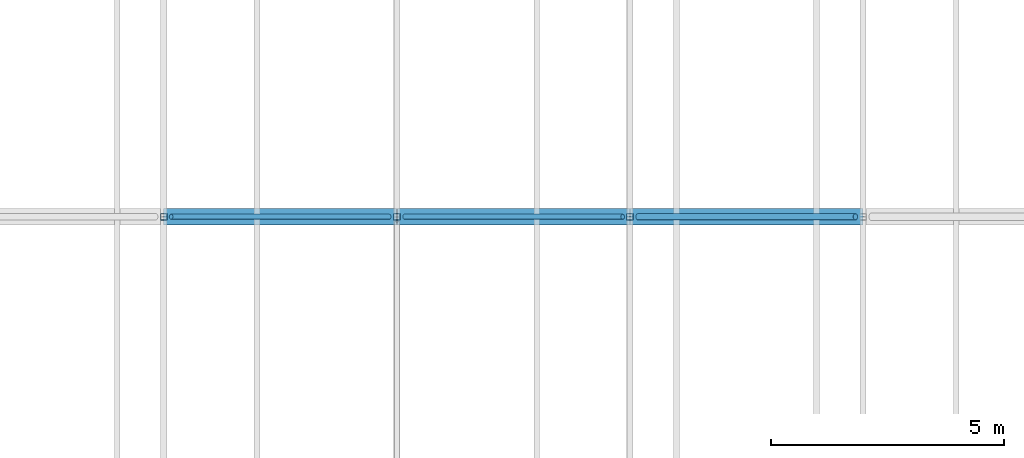
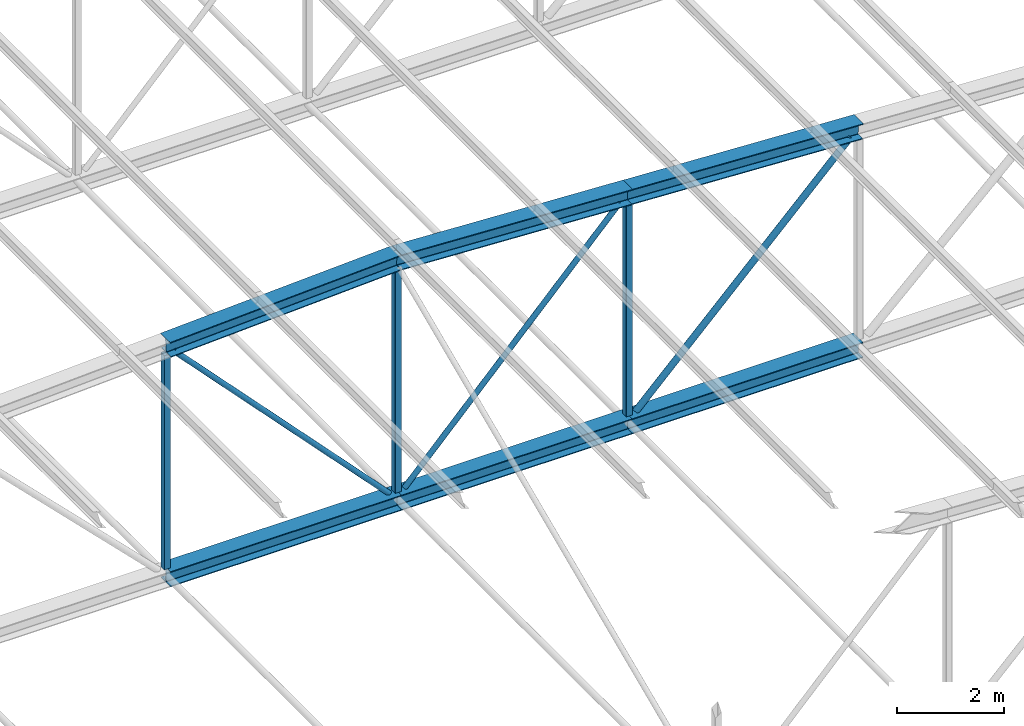
# One storey, part 61 of 156: 12 members.
"""IFC4 building model written with IfcOpenShell, lengths in metres."""

from ifc_helpers import new_model, si_unit, direction, frame, origin, origin_2d, place, context, subcontext, project, spatial, hollow_rectangle, hollow_circle, i_section, extrude, material, material_profile, profile_set, type_object, element, save


model = new_model("IFC4")

# Units and contexts
model_context = context("Model", 3, precision=1e-05, world=origin(), true_north=direction((0.0, 1.0)))
body_context = subcontext(model_context, "Body", "Model", "MODEL_VIEW")
ifc_project = project(units=[si_unit("LENGTHUNIT", "METRE"), si_unit("AREAUNIT", "SQUARE_METRE"), si_unit("VOLUMEUNIT", "CUBIC_METRE"), si_unit("PLANEANGLEUNIT", "RADIAN"), si_unit("MASSUNIT", "GRAM", prefix="KILO")], contexts=[model_context])

# Site, building, storey
site_placement = place(None, origin())
site = spatial("IfcSite", under=ifc_project, at=site_placement, CompositionType="ELEMENT")
building_placement = place(site_placement, origin())
building = spatial("IfcBuilding", under=site, at=building_placement, Name="Lilac Gate Convention Centre", CompositionType="ELEMENT")
storey_placement = place(building_placement, frame((0.0, 0.0, 17.0)))
storey = spatial("IfcBuildingStorey", under=building, at=storey_placement, Name="L03", CompositionType="ELEMENT", Elevation=17.0)

# Members
ifc_material = material(Name="Steel Q355B", Category="steel")
ifc_material_profile_1 = material_profile(ifc_material, i_section(OverallWidth=0.35693359375, OverallDepth=0.35009765625, WebThickness=0.01904296875, FlangeThickness=0.01904296875, FilletRadius=0.012939453125, at=origin_2d()), Name="HW350x357x19x19")
ifc_profile_set_1 = profile_set([ifc_material_profile_1], Name="Steel Q355B")
member_type_1 = type_object("IfcMemberType", Name="Truss bottom chord HW350x357x19x19", PredefinedType="CHORD", material=ifc_profile_set_1)
for number, where, z_axis, x_axis, name in (
    (1, (55.0, 114.0, 0.0), (1.0, 0.0, 0.0), (0.0, 1.0, 0.0), "TB3 truss 8 bottom chord 6"),
    (2, (60.0, 114.0, 0.0), (1.0, 0.0, 0.0), (0.0, 1.0, 0.0), "TB3 truss 8 bottom chord 7"),
    (3, (65.0, 114.0, 0.0), (1.0, 0.0, 0.0), (0.0, 1.0, 0.0), "TB3 truss 8 bottom chord 8"),
):
    element("IfcMember", number, at=place(storey_placement, frame(where, z_axis=z_axis, x_axis=x_axis)), inside=storey, type_object=member_type_1, Name=name, PredefinedType="CHORD", context=body_context, shape_type="SweptSolid", body=[
        extrude(i_section(OverallWidth=0.35693359375, OverallDepth=0.35009765625, WebThickness=0.01904296875, FlangeThickness=0.01904296875, FilletRadius=0.012939453125, at=origin_2d()), origin(), (0.0, 0.0, 1.0), 5.0),
    ])
ifc_material_profile_2 = material_profile(ifc_material, hollow_circle(Radius=0.05712890625, WallThickness=0.0048828125, at=origin_2d()), Name="CHS114.3x5")
ifc_profile_set_2 = profile_set([ifc_material_profile_2], Name="Steel Q355B")
member_type_2 = type_object("IfcMemberType", Name="Truss diagonal CHS114.3x5", PredefinedType="BRACE", material=ifc_profile_set_2)
for number, where, z_axis, x_axis, name in (
    (4, (55.156494140625, 114.0, 5.085693359375), (0.6896515765, 0.0, -0.724141355697), (0.0, 1.0, 0.0), "TW6 truss 8 diagonal 6"),
    (5, (64.843505859375, 114.0, 5.085693359375), (-0.6896515765, 0.0, -0.724141355697), (0.0, -1.0, 0.0), "TW6 truss 8 diagonal 7"),
):
    element("IfcMember", number, at=place(storey_placement, frame(where, z_axis=z_axis, x_axis=x_axis)), inside=storey, type_object=member_type_2, Name=name, PredefinedType="BRACE", context=body_context, shape_type="SweptSolid", body=[
        extrude(hollow_circle(Radius=0.05712890625, WallThickness=0.0048828125, at=origin_2d()), origin(), (0.0, 0.0, 1.0), 6.78125),
    ])
ifc_material_profile_3 = material_profile(ifc_material, hollow_circle(Radius=0.06982421875, WallThickness=0.006103515625, at=origin_2d()), Name="CHS139.7x6")
ifc_profile_set_3 = profile_set([ifc_material_profile_3], Name="Steel Q355B")
member_type_3 = type_object("IfcMemberType", Name="Truss diagonal CHS139.7x6", PredefinedType="BRACE", material=ifc_profile_set_3)
member_1_placement = place(storey_placement, frame((69.835693359375, 114.0, 4.835693359375), z_axis=(-0.707106781187, 0.0, -0.707106781187), x_axis=(0.0, -1.0, 0.0)))
element("IfcMember", 6, at=member_1_placement, inside=storey, type_object=member_type_3, Name="TW5 truss 8 diagonal 8", PredefinedType="BRACE", context=body_context, shape_type="SweptSolid", body=[
    extrude(hollow_circle(Radius=0.06982421875, WallThickness=0.006103515625, at=origin_2d()), origin(), (0.0, 0.0, 1.0), 6.591064453125),
])
ifc_material_profile_4 = material_profile(ifc_material, i_section(OverallWidth=0.35009765625, OverallDepth=0.35009765625, WebThickness=0.011962890625, FlangeThickness=0.01904296875, FilletRadius=0.012939453125, at=origin_2d()), Name="HW350x350x12x19")
ifc_profile_set_4 = profile_set([ifc_material_profile_4], Name="Steel Q355B")
member_type_4 = type_object("IfcMemberType", Name="Truss top chord HW350x350x12x19", PredefinedType="CHORD", material=ifc_profile_set_4)
member_2_placement = place(storey_placement, frame((65.0, 114.0, 5.25), z_axis=(0.998752338878, 0.0, -0.049937616944), x_axis=(0.0, 1.0, 0.0)))
element("IfcMember", 7, at=member_2_placement, inside=storey, type_object=member_type_4, Name="TT2 truss 8 top chord 8", PredefinedType="CHORD", context=body_context, shape_type="SweptSolid", body=[
    extrude(i_section(OverallWidth=0.35009765625, OverallDepth=0.35009765625, WebThickness=0.011962890625, FlangeThickness=0.01904296875, FilletRadius=0.012939453125, at=origin_2d()), origin(), (0.0, 0.0, 1.0), 5.00634765625),
])
ifc_material_profile_5 = material_profile(ifc_material, i_section(OverallWidth=0.35693359375, OverallDepth=0.35009765625, WebThickness=0.01904296875, FlangeThickness=0.01904296875, FilletRadius=0.012939453125, at=origin_2d()), Name="HW350x357x19x19")
ifc_profile_set_5 = profile_set([ifc_material_profile_5], Name="Steel Q355B")
member_type_5 = type_object("IfcMemberType", Name="Truss top chord HW350x357x19x19", PredefinedType="CHORD", material=ifc_profile_set_5)
for number, where, z_axis, x_axis, name in (
    (8, (55.0, 114.0, 5.25), (0.998752338878, 0.0, 0.049937616944), (0.0, 1.0, 0.0), "TT3 truss 8 top chord 6"),
    (9, (60.0, 114.0, 5.5), (0.998752338878, 0.0, -0.049937616944), (0.0, 1.0, 0.0), "TT3 truss 8 top chord 7"),
):
    element("IfcMember", number, at=place(storey_placement, frame(where, z_axis=z_axis, x_axis=x_axis)), inside=storey, type_object=member_type_5, Name=name, PredefinedType="CHORD", context=body_context, shape_type="SweptSolid", body=[
        extrude(i_section(OverallWidth=0.35693359375, OverallDepth=0.35009765625, WebThickness=0.01904296875, FlangeThickness=0.01904296875, FilletRadius=0.012939453125, at=origin_2d()), origin(), (0.0, 0.0, 1.0), 5.00634765625),
    ])
ifc_material_profile_6 = material_profile(ifc_material, hollow_rectangle(XDim=0.139892578125, YDim=0.139892578125, WallThickness=0.0048828125, InnerFilletRadius=0.0048828125, OuterFilletRadius=0.010009765625, at=origin_2d()), Name="SHS140x140x5")
ifc_profile_set_6 = profile_set([ifc_material_profile_6], Name="Steel Q355B")
member_type_6 = type_object("IfcMemberType", Name="Truss vertical SHS140x140x5", PredefinedType="STRUT", material=ifc_profile_set_6)
member_3_placement = place(storey_placement, frame((55.0, 114.0, 0.175048828125), z_axis=(0.0, 0.0, 1.0), x_axis=(1.0, 0.0, 0.0)))
element("IfcMember", 10, at=member_3_placement, inside=storey, type_object=member_type_6, Name="TV4 truss 8 vertical 6", PredefinedType="STRUT", context=body_context, shape_type="SweptSolid", body=[
    extrude(hollow_rectangle(XDim=0.139892578125, YDim=0.139892578125, WallThickness=0.0048828125, InnerFilletRadius=0.0048828125, OuterFilletRadius=0.010009765625, at=origin_2d()), origin(), (0.0, 0.0, 1.0), 4.899658203125),
])
member_4_placement = place(storey_placement, frame((60.0, 114.0, 0.175048828125), z_axis=(0.0, 0.0, 1.0), x_axis=(1.0, 0.0, 0.0)))
element("IfcMember", 11, at=member_4_placement, inside=storey, type_object=member_type_6, Name="TV4 truss 8 vertical 7", PredefinedType="STRUT", context=body_context, shape_type="SweptSolid", body=[
    extrude(hollow_rectangle(XDim=0.139892578125, YDim=0.139892578125, WallThickness=0.0048828125, InnerFilletRadius=0.0048828125, OuterFilletRadius=0.010009765625, at=origin_2d()), origin(), (0.0, 0.0, 1.0), 5.149658203125),
])
member_5_placement = place(storey_placement, frame((65.0, 114.0, 0.175048828125), z_axis=(0.0, 0.0, 1.0), x_axis=(1.0, 0.0, 0.0)))
element("IfcMember", 12, at=member_5_placement, inside=storey, type_object=member_type_6, Name="TV4 truss 8 vertical 8", PredefinedType="STRUT", context=body_context, shape_type="SweptSolid", body=[
    extrude(hollow_rectangle(XDim=0.139892578125, YDim=0.139892578125, WallThickness=0.0048828125, InnerFilletRadius=0.0048828125, OuterFilletRadius=0.010009765625, at=origin_2d()), origin(), (0.0, 0.0, 1.0), 4.899658203125),
])

save(model, "model.ifc")
